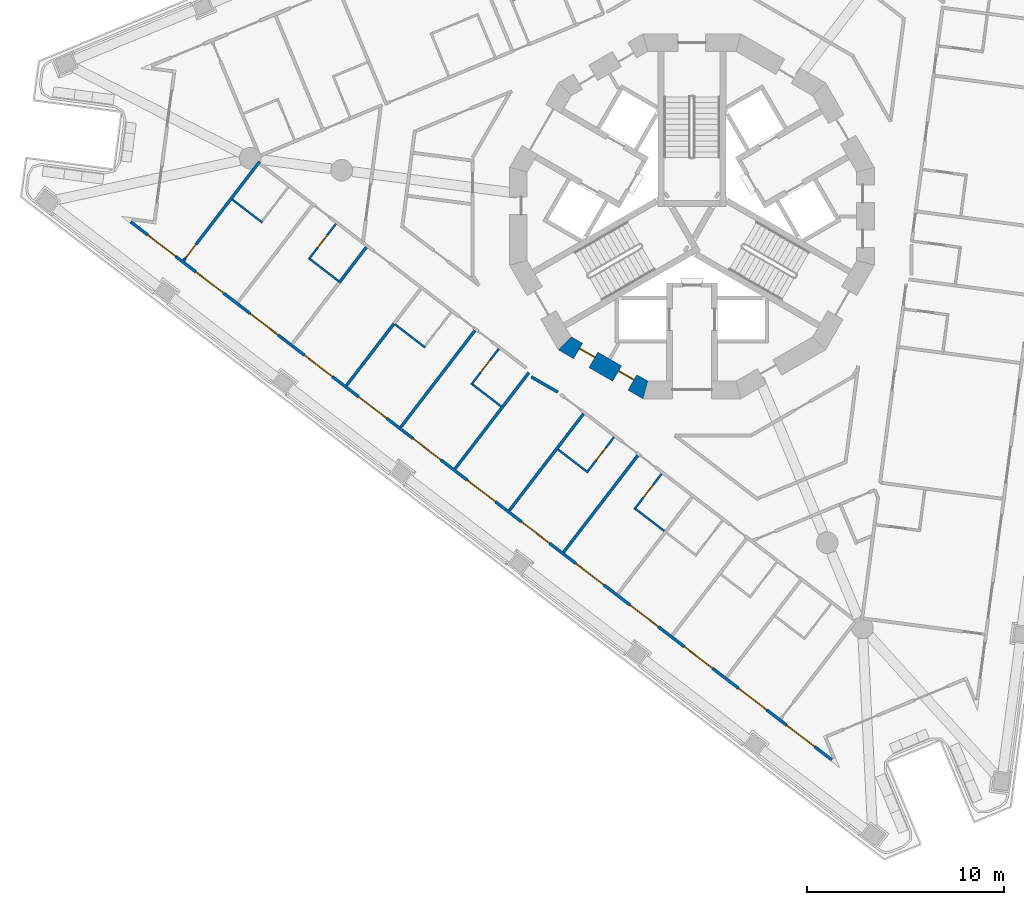
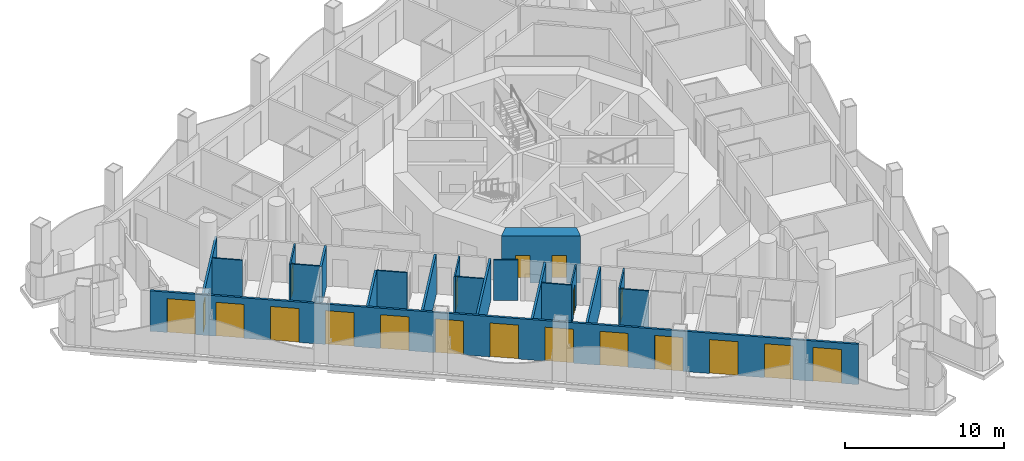
# One storey, part 2 of 17: 20 doors, 20 walls, 20 openings.
"""IFC4 building model written with IfcOpenShell, lengths in metres."""

from ifc_helpers import new_model, si_unit, direction, frame, frame_2d, origin, place, context, subcontext, project, spatial, polyline, rectangle, outline, extrude, material, layer, layer_set, type_object, element, fill, save


model = new_model("IFC4")

# Units and contexts
model_context = context("Model", 3, precision=1e-05, world=origin(), true_north=direction((0.0, 1.0)))
body_context = subcontext(model_context, "Body", "Model", "MODEL_VIEW")
ifc_project = project(units=[si_unit("LENGTHUNIT", "METRE"), si_unit("AREAUNIT", "SQUARE_METRE"), si_unit("VOLUMEUNIT", "CUBIC_METRE"), si_unit("PLANEANGLEUNIT", "RADIAN"), si_unit("MASSUNIT", "GRAM", prefix="KILO")], contexts=[model_context])

# Site, building, storey
site_placement = place(None, origin())
site = spatial("IfcSite", under=ifc_project, at=site_placement, CompositionType="ELEMENT")
building_placement = place(site_placement, origin())
building = spatial("IfcBuilding", under=site, at=building_placement, Name="Trine Commons Tower", CompositionType="ELEMENT")
storey_placement = place(building_placement, frame((0.0, 0.0, 153.0)))
storey = spatial("IfcBuildingStorey", under=building, at=storey_placement, Name="L39", CompositionType="ELEMENT", Elevation=153.0)

# Wall, openings, doors
ifc_material_1 = material(Name="Aluminium-framed insulated wall panel", Category="aluminium")
ifc_layer_1 = layer(ifc_material_1, 0.14990234375)
ifc_layer_set_1 = layer_set([ifc_layer_1], Name="Aluminium-framed insulated wall panel")
wall_type_1 = type_object("IfcWallType", Name="Glazed frame wall 150, EI 60", PredefinedType="SOLIDWALL", material=ifc_layer_set_1)
wall_1_placement = place(storey_placement, frame((87.22509765625, 34.786376953125, 0.0), z_axis=(0.0, 0.0, 1.0), x_axis=(-0.793353605974, 0.608761082764, 0.0)))
wall_1 = element("IfcWall", 1, at=wall_1_placement, inside=storey, type_object=wall_type_1, Name="Glazed frame wall F3", PredefinedType="SOLIDWALL", context=body_context, shape_type="SweptSolid", body=[
    extrude(outline(polyline([(0.1494140625, 0.074951171875), (0.1494140625, -0.074951171875), (45.056884765625, -0.074951171875), (45.056884765625, 0.074951171875), (0.1494140625, 0.074951171875)])), origin(), (0.0, 0.0, 1.0), 3.10009765625),
])
opening_1_placement = place(wall_1_placement, frame((1.23876953125, 0.0, 0.0)))
opening_1 = element("IfcOpeningElement", 2, at=opening_1_placement, cuts=wall_1, Name="Opening BD-4F3-01", PredefinedType="OPENING", context=body_context, shape_type="SweptSolid", body=[
    extrude(rectangle(XDim=1.800048828125, YDim=2.60009765625, at=frame_2d((0.89990234375, 1.300048828125))), frame((0.0, 0.0849609375, 0.0), z_axis=(0.0, -1.0, 0.0), x_axis=(1.0, 0.0, 0.0)), (0.0, 0.0, 1.0), 0.169921875),
])
opening_2_placement = place(wall_1_placement, frame((4.316162109375, 0.0, 0.0)))
opening_2 = element("IfcOpeningElement", 3, at=opening_2_placement, cuts=wall_1, Name="Opening BD-4F3-02", PredefinedType="OPENING", context=body_context, shape_type="SweptSolid", body=[
    extrude(rectangle(XDim=1.800048828125, YDim=2.60009765625, at=frame_2d((0.89990234375, 1.300048828125))), frame((0.0, 0.0849609375, 0.0), z_axis=(0.0, -1.0, 0.0), x_axis=(1.0, 0.0, 0.0)), (0.0, 0.0, 1.0), 0.169921875),
])
opening_3_placement = place(wall_1_placement, frame((7.79345703125, 0.0, 0.0)))
opening_3 = element("IfcOpeningElement", 4, at=opening_3_placement, cuts=wall_1, Name="Opening BD-4F3-03", PredefinedType="OPENING", context=body_context, shape_type="SweptSolid", body=[
    extrude(rectangle(XDim=1.800048828125, YDim=2.60009765625, at=frame_2d((0.89990234375, 1.300048828125))), frame((0.0, 0.0849609375, 0.0), z_axis=(0.0, -1.0, 0.0), x_axis=(1.0, 0.0, 0.0)), (0.0, 0.0, 1.0), 0.169921875),
])
opening_4_placement = place(wall_1_placement, frame((11.27099609375, 0.0, 0.0)))
opening_4 = element("IfcOpeningElement", 5, at=opening_4_placement, cuts=wall_1, Name="Opening BD-4F3-04", PredefinedType="OPENING", context=body_context, shape_type="SweptSolid", body=[
    extrude(rectangle(XDim=1.800048828125, YDim=2.60009765625, at=frame_2d((0.89990234375, 1.300048828125))), frame((0.0, 0.0849609375, 0.0), z_axis=(0.0, -1.0, 0.0), x_axis=(1.0, 0.0, 0.0)), (0.0, 0.0, 1.0), 0.169921875),
])
opening_5_placement = place(wall_1_placement, frame((14.748291015625, 0.0, 0.0)))
opening_5 = element("IfcOpeningElement", 6, at=opening_5_placement, cuts=wall_1, Name="Opening BD-4F3-05", PredefinedType="OPENING", context=body_context, shape_type="SweptSolid", body=[
    extrude(rectangle(XDim=1.800048828125, YDim=2.60009765625, at=frame_2d((0.89990234375, 1.300048828125))), frame((0.0, 0.0849609375, 0.0), z_axis=(0.0, -1.0, 0.0), x_axis=(1.0, 0.0, 0.0)), (0.0, 0.0, 1.0), 0.169921875),
])
opening_6_placement = place(wall_1_placement, frame((18.2255859375, 0.0, 0.0)))
opening_6 = element("IfcOpeningElement", 7, at=opening_6_placement, cuts=wall_1, Name="Opening BD-4F3-06", PredefinedType="OPENING", context=body_context, shape_type="SweptSolid", body=[
    extrude(rectangle(XDim=1.800048828125, YDim=2.60009765625, at=frame_2d((0.89990234375, 1.300048828125))), frame((0.0, 0.0849609375, 0.0), z_axis=(0.0, -1.0, 0.0), x_axis=(1.0, 0.0, 0.0)), (0.0, 0.0, 1.0), 0.169921875),
])
opening_7_placement = place(wall_1_placement, frame((21.703125, 0.0, 0.0)))
opening_7 = element("IfcOpeningElement", 8, at=opening_7_placement, cuts=wall_1, Name="Opening BD-4F3-07", PredefinedType="OPENING", context=body_context, shape_type="SweptSolid", body=[
    extrude(rectangle(XDim=1.800048828125, YDim=2.60009765625, at=frame_2d((0.89990234375, 1.300048828125))), frame((0.0, 0.0849609375, 0.0), z_axis=(0.0, -1.0, 0.0), x_axis=(1.0, 0.0, 0.0)), (0.0, 0.0, 1.0), 0.169921875),
])
opening_8_placement = place(wall_1_placement, frame((25.180419921875, 0.0, 0.0)))
opening_8 = element("IfcOpeningElement", 9, at=opening_8_placement, cuts=wall_1, Name="Opening BD-4F3-08", PredefinedType="OPENING", context=body_context, shape_type="SweptSolid", body=[
    extrude(rectangle(XDim=1.800048828125, YDim=2.60009765625, at=frame_2d((0.89990234375, 1.300048828125))), frame((0.0, 0.0849609375, 0.0), z_axis=(0.0, -1.0, 0.0), x_axis=(1.0, 0.0, 0.0)), (0.0, 0.0, 1.0), 0.169921875),
])
opening_9_placement = place(wall_1_placement, frame((28.657958984375, 0.0, 0.0)))
opening_9 = element("IfcOpeningElement", 10, at=opening_9_placement, cuts=wall_1, Name="Opening BD-4F3-09", PredefinedType="OPENING", context=body_context, shape_type="SweptSolid", body=[
    extrude(rectangle(XDim=1.800048828125, YDim=2.60009765625, at=frame_2d((0.89990234375, 1.300048828125))), frame((0.0, 0.0849609375, 0.0), z_axis=(0.0, -1.0, 0.0), x_axis=(1.0, 0.0, 0.0)), (0.0, 0.0, 1.0), 0.169921875),
])
opening_10_placement = place(wall_1_placement, frame((32.13525390625, 0.0, 0.0)))
opening_10 = element("IfcOpeningElement", 11, at=opening_10_placement, cuts=wall_1, Name="Opening BD-4F3-10", PredefinedType="OPENING", context=body_context, shape_type="SweptSolid", body=[
    extrude(rectangle(XDim=1.800048828125, YDim=2.60009765625, at=frame_2d((0.89990234375, 1.300048828125))), frame((0.0, 0.0849609375, 0.0), z_axis=(0.0, -1.0, 0.0), x_axis=(1.0, 0.0, 0.0)), (0.0, 0.0, 1.0), 0.169921875),
])
opening_11_placement = place(wall_1_placement, frame((35.61279296875, 0.0, 0.0)))
opening_11 = element("IfcOpeningElement", 12, at=opening_11_placement, cuts=wall_1, Name="Opening BD-4F3-11", PredefinedType="OPENING", context=body_context, shape_type="SweptSolid", body=[
    extrude(rectangle(XDim=1.800048828125, YDim=2.60009765625, at=frame_2d((0.89990234375, 1.300048828125))), frame((0.0, 0.0849609375, 0.0), z_axis=(0.0, -1.0, 0.0), x_axis=(1.0, 0.0, 0.0)), (0.0, 0.0, 1.0), 0.169921875),
])
opening_12_placement = place(wall_1_placement, frame((39.090087890625, 0.0, 0.0)))
opening_12 = element("IfcOpeningElement", 13, at=opening_12_placement, cuts=wall_1, Name="Opening BD-4F3-12", PredefinedType="OPENING", context=body_context, shape_type="SweptSolid", body=[
    extrude(rectangle(XDim=1.800048828125, YDim=2.60009765625, at=frame_2d((0.89990234375, 1.300048828125))), frame((0.0, 0.0849609375, 0.0), z_axis=(0.0, -1.0, 0.0), x_axis=(1.0, 0.0, 0.0)), (0.0, 0.0, 1.0), 0.169921875),
])
opening_13_placement = place(wall_1_placement, frame((42.16748046875, 0.0, 0.0)))
opening_13 = element("IfcOpeningElement", 14, at=opening_13_placement, cuts=wall_1, Name="Opening BD-4F3-13", PredefinedType="OPENING", context=body_context, shape_type="SweptSolid", body=[
    extrude(rectangle(XDim=1.800048828125, YDim=2.60009765625, at=frame_2d((0.89990234375, 1.300048828125))), frame((0.0, 0.0849609375, 0.0), z_axis=(0.0, -1.0, 0.0), x_axis=(1.0, 0.0, 0.0)), (0.0, 0.0, 1.0), 0.169921875),
])
ifc_material_2 = material(Name="Anodised aluminium frame with double glazing", Category="aluminium")
door_type_1 = type_object("IfcDoorType", Name="Sliding loggia door 1800x2600", OperationType="SLIDING_TO_LEFT", PredefinedType="DOOR", material=ifc_material_2)
door_1_placement = place(opening_1_placement, origin())
door_1 = element("IfcDoor", 15, at=door_1_placement, inside=storey, type_object=door_type_1, Name="Loggia door F3 1", OperationType="SLIDING_TO_LEFT", OverallHeight=2.60009765625, OverallWidth=1.800048828125, PredefinedType="DOOR", context=body_context, shape_type="SweptSolid", body=[
    extrude(rectangle(XDim=1.800048828125, YDim=2.60009765625, at=frame_2d((0.89990234375, 1.300048828125))), frame((0.0, 0.02490234375, 0.0), z_axis=(0.0, -1.0, 0.0), x_axis=(1.0, 0.0, 0.0)), (0.0, 0.0, 1.0), 0.050048828125),
])
fill(opening_1, door_1)
door_2_placement = place(opening_2_placement, origin())
door_2 = element("IfcDoor", 16, at=door_2_placement, inside=storey, type_object=door_type_1, Name="Loggia door F3 2", OperationType="SLIDING_TO_LEFT", OverallHeight=2.60009765625, OverallWidth=1.800048828125, PredefinedType="DOOR", context=body_context, shape_type="SweptSolid", body=[
    extrude(rectangle(XDim=1.800048828125, YDim=2.60009765625, at=frame_2d((0.89990234375, 1.300048828125))), frame((0.0, 0.02490234375, 0.0), z_axis=(0.0, -1.0, 0.0), x_axis=(1.0, 0.0, 0.0)), (0.0, 0.0, 1.0), 0.050048828125),
])
fill(opening_2, door_2)
door_3_placement = place(opening_3_placement, origin())
door_3 = element("IfcDoor", 17, at=door_3_placement, inside=storey, type_object=door_type_1, Name="Loggia door F3 3", OperationType="SLIDING_TO_LEFT", OverallHeight=2.60009765625, OverallWidth=1.800048828125, PredefinedType="DOOR", context=body_context, shape_type="SweptSolid", body=[
    extrude(rectangle(XDim=1.800048828125, YDim=2.60009765625, at=frame_2d((0.89990234375, 1.300048828125))), frame((0.0, 0.02490234375, 0.0), z_axis=(0.0, -1.0, 0.0), x_axis=(1.0, 0.0, 0.0)), (0.0, 0.0, 1.0), 0.050048828125),
])
fill(opening_3, door_3)
door_4_placement = place(opening_4_placement, origin())
door_4 = element("IfcDoor", 18, at=door_4_placement, inside=storey, type_object=door_type_1, Name="Loggia door F3 4", OperationType="SLIDING_TO_LEFT", OverallHeight=2.60009765625, OverallWidth=1.800048828125, PredefinedType="DOOR", context=body_context, shape_type="SweptSolid", body=[
    extrude(rectangle(XDim=1.800048828125, YDim=2.60009765625, at=frame_2d((0.89990234375, 1.300048828125))), frame((0.0, 0.02490234375, 0.0), z_axis=(0.0, -1.0, 0.0), x_axis=(1.0, 0.0, 0.0)), (0.0, 0.0, 1.0), 0.050048828125),
])
fill(opening_4, door_4)
door_5_placement = place(opening_5_placement, origin())
door_5 = element("IfcDoor", 19, at=door_5_placement, inside=storey, type_object=door_type_1, Name="Loggia door F3 5", OperationType="SLIDING_TO_LEFT", OverallHeight=2.60009765625, OverallWidth=1.800048828125, PredefinedType="DOOR", context=body_context, shape_type="SweptSolid", body=[
    extrude(rectangle(XDim=1.800048828125, YDim=2.60009765625, at=frame_2d((0.89990234375, 1.300048828125))), frame((0.0, 0.02490234375, 0.0), z_axis=(0.0, -1.0, 0.0), x_axis=(1.0, 0.0, 0.0)), (0.0, 0.0, 1.0), 0.050048828125),
])
fill(opening_5, door_5)
door_6_placement = place(opening_6_placement, origin())
door_6 = element("IfcDoor", 20, at=door_6_placement, inside=storey, type_object=door_type_1, Name="Loggia door F3 6", OperationType="SLIDING_TO_LEFT", OverallHeight=2.60009765625, OverallWidth=1.800048828125, PredefinedType="DOOR", context=body_context, shape_type="SweptSolid", body=[
    extrude(rectangle(XDim=1.800048828125, YDim=2.60009765625, at=frame_2d((0.89990234375, 1.300048828125))), frame((0.0, 0.02490234375, 0.0), z_axis=(0.0, -1.0, 0.0), x_axis=(1.0, 0.0, 0.0)), (0.0, 0.0, 1.0), 0.050048828125),
])
fill(opening_6, door_6)
door_7_placement = place(opening_7_placement, origin())
door_7 = element("IfcDoor", 21, at=door_7_placement, inside=storey, type_object=door_type_1, Name="Loggia door F3 7", OperationType="SLIDING_TO_LEFT", OverallHeight=2.60009765625, OverallWidth=1.800048828125, PredefinedType="DOOR", context=body_context, shape_type="SweptSolid", body=[
    extrude(rectangle(XDim=1.800048828125, YDim=2.60009765625, at=frame_2d((0.89990234375, 1.300048828125))), frame((0.0, 0.02490234375, 0.0), z_axis=(0.0, -1.0, 0.0), x_axis=(1.0, 0.0, 0.0)), (0.0, 0.0, 1.0), 0.050048828125),
])
fill(opening_7, door_7)
door_8_placement = place(opening_8_placement, origin())
door_8 = element("IfcDoor", 22, at=door_8_placement, inside=storey, type_object=door_type_1, Name="Loggia door F3 8", OperationType="SLIDING_TO_LEFT", OverallHeight=2.60009765625, OverallWidth=1.800048828125, PredefinedType="DOOR", context=body_context, shape_type="SweptSolid", body=[
    extrude(rectangle(XDim=1.800048828125, YDim=2.60009765625, at=frame_2d((0.89990234375, 1.300048828125))), frame((0.0, 0.02490234375, 0.0), z_axis=(0.0, -1.0, 0.0), x_axis=(1.0, 0.0, 0.0)), (0.0, 0.0, 1.0), 0.050048828125),
])
fill(opening_8, door_8)
door_9_placement = place(opening_9_placement, origin())
door_9 = element("IfcDoor", 23, at=door_9_placement, inside=storey, type_object=door_type_1, Name="Loggia door F3 9", OperationType="SLIDING_TO_LEFT", OverallHeight=2.60009765625, OverallWidth=1.800048828125, PredefinedType="DOOR", context=body_context, shape_type="SweptSolid", body=[
    extrude(rectangle(XDim=1.800048828125, YDim=2.60009765625, at=frame_2d((0.89990234375, 1.300048828125))), frame((0.0, 0.02490234375, 0.0), z_axis=(0.0, -1.0, 0.0), x_axis=(1.0, 0.0, 0.0)), (0.0, 0.0, 1.0), 0.050048828125),
])
fill(opening_9, door_9)
door_10_placement = place(opening_10_placement, origin())
door_10 = element("IfcDoor", 24, at=door_10_placement, inside=storey, type_object=door_type_1, Name="Loggia door F3 10", OperationType="SLIDING_TO_LEFT", OverallHeight=2.60009765625, OverallWidth=1.800048828125, PredefinedType="DOOR", context=body_context, shape_type="SweptSolid", body=[
    extrude(rectangle(XDim=1.800048828125, YDim=2.60009765625, at=frame_2d((0.89990234375, 1.300048828125))), frame((0.0, 0.02490234375, 0.0), z_axis=(0.0, -1.0, 0.0), x_axis=(1.0, 0.0, 0.0)), (0.0, 0.0, 1.0), 0.050048828125),
])
fill(opening_10, door_10)
door_11_placement = place(opening_11_placement, origin())
door_11 = element("IfcDoor", 25, at=door_11_placement, inside=storey, type_object=door_type_1, Name="Loggia door F3 11", OperationType="SLIDING_TO_LEFT", OverallHeight=2.60009765625, OverallWidth=1.800048828125, PredefinedType="DOOR", context=body_context, shape_type="SweptSolid", body=[
    extrude(rectangle(XDim=1.800048828125, YDim=2.60009765625, at=frame_2d((0.89990234375, 1.300048828125))), frame((0.0, 0.02490234375, 0.0), z_axis=(0.0, -1.0, 0.0), x_axis=(1.0, 0.0, 0.0)), (0.0, 0.0, 1.0), 0.050048828125),
])
fill(opening_11, door_11)
door_12_placement = place(opening_12_placement, origin())
door_12 = element("IfcDoor", 26, at=door_12_placement, inside=storey, type_object=door_type_1, Name="Loggia door F3 12", OperationType="SLIDING_TO_LEFT", OverallHeight=2.60009765625, OverallWidth=1.800048828125, PredefinedType="DOOR", context=body_context, shape_type="SweptSolid", body=[
    extrude(rectangle(XDim=1.800048828125, YDim=2.60009765625, at=frame_2d((0.89990234375, 1.300048828125))), frame((0.0, 0.02490234375, 0.0), z_axis=(0.0, -1.0, 0.0), x_axis=(1.0, 0.0, 0.0)), (0.0, 0.0, 1.0), 0.050048828125),
])
fill(opening_12, door_12)
door_13_placement = place(opening_13_placement, origin())
door_13 = element("IfcDoor", 27, at=door_13_placement, inside=storey, type_object=door_type_1, Name="Loggia door F3 13", OperationType="SLIDING_TO_LEFT", OverallHeight=2.60009765625, OverallWidth=1.800048828125, PredefinedType="DOOR", context=body_context, shape_type="SweptSolid", body=[
    extrude(rectangle(XDim=1.800048828125, YDim=2.60009765625, at=frame_2d((0.89990234375, 1.300048828125))), frame((0.0, 0.02490234375, 0.0), z_axis=(0.0, -1.0, 0.0), x_axis=(1.0, 0.0, 0.0)), (0.0, 0.0, 1.0), 0.050048828125),
])
fill(opening_13, door_13)

ifc_material_3 = material(Name="Concrete C70/85", Category="concrete")
ifc_layer_2 = layer(ifc_material_3, 0.89990234375)
ifc_layer_set_2 = layer_set([ifc_layer_2], Name="Concrete C70/85")
wall_type_2 = type_object("IfcWallType", Name="RC shear wall 900 mm, C70/85", PredefinedType="SHEAR", material=ifc_layer_set_2)
wall_2_placement = place(storey_placement, frame((73.436767578125, 56.1015625, 0.0), z_axis=(0.0, 0.0, 1.0), x_axis=(0.866003133579, -0.500038571144, 0.0)))
wall_2 = element("IfcWall", 28, at=wall_2_placement, inside=storey, type_object=wall_type_2, Name="Core wall CWD-09 L39", PredefinedType="SHEAR", context=body_context, shape_type="SweptSolid", body=[
    extrude(outline(polyline([(0.0, -0.449951171875), (4.96923828125, -0.449951171875), (4.72802734375, 0.449951171875), (0.2412109375, 0.449951171875), (0.0, -0.449951171875)])), origin(), (0.0, 0.0, 1.0), 3.60009765625),
])
opening_14_placement = place(wall_2_placement, frame((0.89599609375, 0.0, 0.0)))
opening_14 = element("IfcOpeningElement", 29, at=opening_14_placement, cuts=wall_2, Name="Opening K10.16", PredefinedType="OPENING", context=body_context, shape_type="SweptSolid", body=[
    extrude(rectangle(XDim=0.89990234375, YDim=2.10009765625, at=frame_2d((0.449951171875, 1.050048828125))), frame((0.0, 0.4599609375, 0.0), z_axis=(0.0, -1.0, 0.0), x_axis=(1.0, 0.0, 0.0)), (0.0, 0.0, 1.0), 0.919921875),
])
opening_15_placement = place(wall_2_placement, frame((3.18505859375, 0.0, 0.0)))
opening_15 = element("IfcOpeningElement", 30, at=opening_15_placement, cuts=wall_2, Name="Opening K10.17", PredefinedType="OPENING", context=body_context, shape_type="SweptSolid", body=[
    extrude(rectangle(XDim=0.89990234375, YDim=2.10009765625, at=frame_2d((0.449951171875, 1.050048828125))), frame((0.0, 0.4599609375, 0.0), z_axis=(0.0, -1.0, 0.0), x_axis=(1.0, 0.0, 0.0)), (0.0, 0.0, 1.0), 0.919921875),
])
ifc_material_4 = material(Name="Steel door leaf, fire-rated", Category="steel")
door_type_2 = type_object("IfcDoorType", Name="Core room door, single leaf 900 x 2100, FD30S", OperationType="SINGLE_SWING_LEFT", PredefinedType="DOOR", material=ifc_material_4)
door_14_placement = place(opening_14_placement, origin())
door_14 = element("IfcDoor", 31, at=door_14_placement, inside=storey, type_object=door_type_2, Name="Door to Linen store L39", OperationType="SINGLE_SWING_LEFT", OverallHeight=2.10009765625, OverallWidth=0.89990234375, PredefinedType="DOOR", context=body_context, shape_type="SweptSolid", body=[
    extrude(rectangle(XDim=0.89990234375, YDim=2.10009765625, at=frame_2d((0.449951171875, 1.050048828125))), frame((0.0, 0.1748046875, 0.0), z_axis=(0.0, -1.0, 0.0), x_axis=(1.0, 0.0, 0.0)), (0.0, 0.0, 1.0), 0.050048828125),
])
fill(opening_14, door_14)
door_15_placement = place(opening_15_placement, origin())
door_15 = element("IfcDoor", 32, at=door_15_placement, inside=storey, type_object=door_type_2, Name="Door to Pantry L39", OperationType="SINGLE_SWING_RIGHT", OverallHeight=2.10009765625, OverallWidth=0.89990234375, PredefinedType="DOOR", context=body_context, shape_type="SweptSolid", body=[
    extrude(rectangle(XDim=0.89990234375, YDim=2.10009765625, at=frame_2d((0.449951171875, 1.050048828125))), frame((0.0, 0.1748046875, 0.0), z_axis=(0.0, -1.0, 0.0), x_axis=(1.0, 0.0, 0.0)), (0.0, 0.0, 1.0), 0.050048828125),
])
fill(opening_15, door_15)

# Wall, opening, door
ifc_material_5 = material(Name="Gypsum plasterboard on steel stud", Category="steel")
ifc_layer_3 = layer(ifc_material_5, 0.14990234375)
ifc_layer_set_3 = layer_set([ifc_layer_3], Name="Gypsum plasterboard on steel stud")
wall_type_3 = type_object("IfcWallType", Name="Unit and corridor wall 150 mm, EI 60", PredefinedType="PARTITIONING", material=ifc_layer_set_3)
wall_3_placement = place(storey_placement, frame((54.165283203125, 60.248779296875, 0.0), z_axis=(0.0, 0.0, 1.0), x_axis=(0.608817658648, 0.793310190605, 0.0)))
wall_3 = element("IfcWall", 33, at=wall_3_placement, inside=storey, type_object=wall_type_3, Name="Partition 001", PredefinedType="PARTITIONING", context=body_context, shape_type="SweptSolid", body=[
    extrude(rectangle(XDim=6.343994140625, YDim=0.14990234375, at=frame_2d((3.171875, 0.0))), origin(), (0.0, 0.0, 1.0), 3.10009765625),
])
opening_16_placement = place(wall_3_placement, frame((0.14990234375, 0.0, 0.0)))
opening_16 = element("IfcOpeningElement", 34, at=opening_16_placement, cuts=wall_3, Name="Opening D-4C32", PredefinedType="OPENING", context=body_context, shape_type="SweptSolid", body=[
    extrude(rectangle(XDim=0.89990234375, YDim=2.10009765625, at=frame_2d((0.449951171875, 1.050048828125))), frame((0.0, 0.0849609375, 0.0), z_axis=(0.0, -1.0, 0.0), x_axis=(1.0, 0.0, 0.0)), (0.0, 0.0, 1.0), 0.169921875),
])
ifc_material_6 = material(Name="Timber fire door set", Category="wood")
door_type_3 = type_object("IfcDoorType", Name="Bedroom door 900 x 2100, FD30S", OperationType="NOTDEFINED", PredefinedType="DOOR", material=ifc_material_6)
door_16_placement = place(opening_16_placement, frame((0.89990234375, 0.0, 0.0), z_axis=(0.0, 0.0, 1.0), x_axis=(-1.0, 0.0, 0.0)))
door_16 = element("IfcDoor", 35, at=door_16_placement, inside=storey, type_object=door_type_3, Name="Door D-4C32", OperationType="SINGLE_SWING_RIGHT", OverallHeight=2.10009765625, OverallWidth=0.89990234375, PredefinedType="DOOR", context=body_context, shape_type="SweptSolid", body=[
    extrude(rectangle(XDim=0.89990234375, YDim=2.10009765625, at=frame_2d((0.449951171875, 1.050048828125))), frame((0.0, 0.02490234375, 0.0), z_axis=(0.0, -1.0, 0.0), x_axis=(1.0, 0.0, 0.0)), (0.0, 0.0, 1.0), 0.050048828125),
])
fill(opening_16, door_16)

# Walls
wall_4_placement = place(storey_placement, frame((62.066650390625, 59.121337890625, 0.0), z_axis=(0.0, 0.0, 1.0), x_axis=(0.608570992326, 0.793499431191, 0.0)))
element("IfcWall", 36, at=wall_4_placement, inside=storey, type_object=wall_type_3, Name="Partition 017", PredefinedType="PARTITIONING", context=body_context, shape_type="SweptSolid", body=[
    extrude(rectangle(XDim=2.278564453125, YDim=0.14990234375, at=frame_2d((1.13916015625, 0.0))), origin(), (0.0, 0.0, 1.0), 3.10009765625),
])
wall_5_placement = place(storey_placement, frame((62.44140625, 53.897705078125, 0.0), z_axis=(0.0, 0.0, 1.0), x_axis=(0.608741371631, 0.793368730455, 0.0)))
element("IfcWall", 37, at=wall_5_placement, inside=storey, type_object=wall_type_3, Name="Partition 018", PredefinedType="PARTITIONING", context=body_context, shape_type="SweptSolid", body=[
    extrude(rectangle(XDim=3.9697265625, YDim=0.14990234375, at=frame_2d((1.98486328125, 0.0))), origin(), (0.0, 0.0, 1.0), 3.10009765625),
])
wall_6_placement = place(storey_placement, frame((65.2001953125, 51.78076171875, 0.0), z_axis=(0.0, 0.0, 1.0), x_axis=(0.608735145032, 0.793373508004, 0.0)))
element("IfcWall", 38, at=wall_6_placement, inside=storey, type_object=wall_type_3, Name="Partition 027", PredefinedType="PARTITIONING", context=body_context, shape_type="SweptSolid", body=[
    extrude(rectangle(XDim=6.19482421875, YDim=0.14990234375, at=frame_2d((3.097412109375, 0.0))), origin(), (0.0, 0.0, 1.0), 3.10009765625),
])
wall_7_placement = place(storey_placement, frame((67.959228515625, 49.664794921875, 0.0), z_axis=(0.0, 0.0, 1.0), x_axis=(0.608744029894, 0.793366690798, 0.0)))
element("IfcWall", 39, at=wall_7_placement, inside=storey, type_object=wall_type_3, Name="Partition 038", PredefinedType="PARTITIONING", context=body_context, shape_type="SweptSolid", body=[
    extrude(rectangle(XDim=6.166259765625, YDim=0.14990234375, at=frame_2d((3.0830078125, 0.0))), origin(), (0.0, 0.0, 1.0), 3.10009765625),
])
wall_8_placement = place(storey_placement, frame((70.71826171875, 47.547607421875, 0.0), z_axis=(0.0, 0.0, 1.0), x_axis=(0.608712047114, 0.79339122991, 0.0)))
element("IfcWall", 40, at=wall_8_placement, inside=storey, type_object=wall_type_3, Name="Partition 047", PredefinedType="PARTITIONING", context=body_context, shape_type="SweptSolid", body=[
    extrude(rectangle(XDim=6.193359375, YDim=0.14990234375, at=frame_2d((3.0966796875, 0.0))), origin(), (0.0, 0.0, 1.0), 3.10009765625),
])
wall_9_placement = place(storey_placement, frame((71.839111328125, 54.339111328125, 0.0), z_axis=(0.0, 0.0, 1.0), x_axis=(0.866054481515, -0.499949632511, 0.0)))
element("IfcWall", 41, at=wall_9_placement, inside=storey, type_object=wall_type_3, Name="Partition 052", PredefinedType="PARTITIONING", context=body_context, shape_type="SweptSolid", body=[
    extrude(rectangle(XDim=1.550537109375, YDim=0.14990234375, at=frame_2d((0.775390625, 0.0))), origin(), (0.0, 0.0, 1.0), 3.10009765625),
])
wall_10_placement = place(storey_placement, frame((73.476318359375, 45.4306640625, 0.0), z_axis=(0.0, 0.0, 1.0), x_axis=(0.608811285709, 0.79331508141, 0.0)))
element("IfcWall", 42, at=wall_10_placement, inside=storey, type_object=wall_type_3, Name="Partition 056", PredefinedType="PARTITIONING", context=body_context, shape_type="SweptSolid", body=[
    extrude(rectangle(XDim=6.194091796875, YDim=0.14990234375, at=frame_2d((3.09716796875, 0.0))), origin(), (0.0, 0.0, 1.0), 3.10009765625),
])
ifc_layer_4 = layer(ifc_material_5, 0.10009765625)
ifc_layer_set_4 = layer_set([ifc_layer_4], Name="Gypsum plasterboard on steel stud")
wall_type_4 = type_object("IfcWallType", Name="Unit partition 100 mm, no rating", PredefinedType="PARTITIONING", material=ifc_layer_set_4)
wall_11_placement = place(storey_placement, frame((56.640380859375, 63.352294921875, 0.0), z_axis=(0.0, 0.0, 1.0), x_axis=(0.793438942522, -0.608649853766, 0.0)))
element("IfcWall", 43, at=wall_11_placement, inside=storey, type_object=wall_type_4, Name="Partition 003", PredefinedType="PARTITIONING", context=body_context, shape_type="SweptSolid", body=[
    extrude(rectangle(XDim=1.925048828125, YDim=0.10009765625, at=frame_2d((0.96240234375, 0.0))), origin(), (0.0, 0.0, 1.0), 3.10009765625),
])

# Wall, opening, door
wall_12_placement = place(storey_placement, frame((60.521484375, 60.311279296875, 0.0), z_axis=(0.0, 0.0, 1.0), x_axis=(0.608719842686, 0.793385248867, 0.0)))
wall_12 = element("IfcWall", 44, at=wall_12_placement, inside=storey, type_object=wall_type_4, Name="Partition 012", PredefinedType="PARTITIONING", context=body_context, shape_type="SweptSolid", body=[
    extrude(rectangle(XDim=2.275390625, YDim=0.10009765625, at=frame_2d((1.1376953125, 0.0))), origin(), (0.0, 0.0, 1.0), 3.10009765625),
])
opening_17_placement = place(wall_12_placement, frame((0.762451171875, 0.0, 0.0)))
opening_17 = element("IfcOpeningElement", 45, at=opening_17_placement, cuts=wall_12, Name="Opening D-4C60", PredefinedType="OPENING", context=body_context, shape_type="SweptSolid", body=[
    extrude(rectangle(XDim=0.800048828125, YDim=2.10009765625, at=frame_2d((0.39990234375, 1.050048828125))), frame((0.0, 0.06005859375, 0.0), z_axis=(0.0, -1.0, 0.0), x_axis=(1.0, 0.0, 0.0)), (0.0, 0.0, 1.0), 0.1201171875),
])
ifc_material_7 = material(Name="Painted timber", Category="wood")
door_type_4 = type_object("IfcDoorType", Name="Internal door 800 x 2100, NOT RATED", OperationType="NOTDEFINED", PredefinedType="DOOR", material=ifc_material_7)
door_17_placement = place(opening_17_placement, origin())
door_17 = element("IfcDoor", 46, at=door_17_placement, inside=storey, type_object=door_type_4, Name="Door D-4C60", OperationType="SINGLE_SWING_RIGHT", OverallHeight=2.10009765625, OverallWidth=0.800048828125, PredefinedType="DOOR", context=body_context, shape_type="SweptSolid", body=[
    extrude(rectangle(XDim=0.800048828125, YDim=2.10009765625, at=frame_2d((0.39990234375, 1.050048828125))), frame((0.0, 0.02490234375, 0.0), z_axis=(0.0, -1.0, 0.0), x_axis=(1.0, 0.0, 0.0)), (0.0, 0.0, 1.0), 0.050048828125),
])
fill(opening_17, door_17)

# Walls
wall_13_placement = place(storey_placement, frame((60.591796875, 60.320556640625, 0.0), z_axis=(0.0, 0.0, 1.0), x_axis=(0.793369431695, -0.608740457709, 0.0)))
element("IfcWall", 47, at=wall_13_placement, inside=storey, type_object=wall_type_4, Name="Partition 013", PredefinedType="PARTITIONING", context=body_context, shape_type="SweptSolid", body=[
    extrude(rectangle(XDim=1.82470703125, YDim=0.10009765625, at=frame_2d((0.912353515625, 0.0))), origin(), (0.0, 0.0, 1.0), 3.10009765625),
])
wall_14_placement = place(storey_placement, frame((64.91748046875, 57.001220703125, 0.0), z_axis=(0.0, 0.0, 1.0), x_axis=(0.793391951231, -0.608711106948, 0.0)))
element("IfcWall", 48, at=wall_14_placement, inside=storey, type_object=wall_type_4, Name="Partition 026", PredefinedType="PARTITIONING", context=body_context, shape_type="SweptSolid", body=[
    extrude(rectangle(XDim=1.9248046875, YDim=0.10009765625, at=frame_2d((0.96240234375, 0.0))), origin(), (0.0, 0.0, 1.0), 3.10009765625),
])

# Wall, opening, door
wall_15_placement = place(storey_placement, frame((68.78369140625, 53.9423828125, 0.0), z_axis=(0.0, 0.0, 1.0), x_axis=(0.608986677523, 0.793180450212, 0.0)))
wall_15 = element("IfcWall", 49, at=wall_15_placement, inside=storey, type_object=wall_type_4, Name="Partition 040", PredefinedType="PARTITIONING", context=body_context, shape_type="SweptSolid", body=[
    extrude(rectangle(XDim=2.29833984375, YDim=0.10009765625, at=frame_2d((1.149169921875, 0.0))), origin(), (0.0, 0.0, 1.0), 3.10009765625),
])
opening_18_placement = place(wall_15_placement, frame((0.7744140625, 0.0, 0.0)))
opening_18 = element("IfcOpeningElement", 50, at=opening_18_placement, cuts=wall_15, Name="Opening D-4C58", PredefinedType="OPENING", context=body_context, shape_type="SweptSolid", body=[
    extrude(rectangle(XDim=0.800048828125, YDim=2.10009765625, at=frame_2d((0.39990234375, 1.050048828125))), frame((0.0, 0.06005859375, 0.0), z_axis=(0.0, -1.0, 0.0), x_axis=(1.0, 0.0, 0.0)), (0.0, 0.0, 1.0), 0.1201171875),
])
door_18_placement = place(opening_18_placement, origin())
door_18 = element("IfcDoor", 51, at=door_18_placement, inside=storey, type_object=door_type_4, Name="Door D-4C58", OperationType="SINGLE_SWING_RIGHT", OverallHeight=2.10009765625, OverallWidth=0.800048828125, PredefinedType="DOOR", context=body_context, shape_type="SweptSolid", body=[
    extrude(rectangle(XDim=0.800048828125, YDim=2.10009765625, at=frame_2d((0.39990234375, 1.050048828125))), frame((0.0, 0.02490234375, 0.0), z_axis=(0.0, -1.0, 0.0), x_axis=(1.0, 0.0, 0.0)), (0.0, 0.0, 1.0), 0.050048828125),
])
fill(opening_18, door_18)

# Walls
wall_16_placement = place(storey_placement, frame((68.853759765625, 53.95166015625, 0.0), z_axis=(0.0, 0.0, 1.0), x_axis=(0.793369431695, -0.608740457709, 0.0)))
element("IfcWall", 52, at=wall_16_placement, inside=storey, type_object=wall_type_4, Name="Partition 041", PredefinedType="PARTITIONING", context=body_context, shape_type="SweptSolid", body=[
    extrude(rectangle(XDim=1.82470703125, YDim=0.10009765625, at=frame_2d((0.912353515625, 0.0))), origin(), (0.0, 0.0, 1.0), 3.10009765625),
])
wall_17_placement = place(storey_placement, frame((73.193603515625, 50.650390625, 0.0), z_axis=(0.0, 0.0, 1.0), x_axis=(0.793330694412, -0.608790940556, 0.0)))
element("IfcWall", 53, at=wall_17_placement, inside=storey, type_object=wall_type_4, Name="Partition 053", PredefinedType="PARTITIONING", context=body_context, shape_type="SweptSolid", body=[
    extrude(rectangle(XDim=1.9248046875, YDim=0.10009765625, at=frame_2d((0.96240234375, 0.0))), origin(), (0.0, 0.0, 1.0), 3.10009765625),
])

# Wall, opening, door
wall_18_placement = place(storey_placement, frame((74.71142578125, 49.548583984375, 0.0), z_axis=(0.0, 0.0, 1.0), x_axis=(0.608674216197, 0.79342025342, 0.0)))
wall_18 = element("IfcWall", 54, at=wall_18_placement, inside=storey, type_object=wall_type_4, Name="Partition 060", PredefinedType="PARTITIONING", context=body_context, shape_type="SweptSolid", body=[
    extrude(rectangle(XDim=2.17529296875, YDim=0.10009765625, at=frame_2d((1.087646484375, 0.0))), origin(), (0.0, 0.0, 1.0), 3.10009765625),
])
opening_19_placement = place(wall_18_placement, frame((0.6875, 0.0, 0.0)))
opening_19 = element("IfcOpeningElement", 55, at=opening_19_placement, cuts=wall_18, Name="Opening D-4C57", PredefinedType="OPENING", context=body_context, shape_type="SweptSolid", body=[
    extrude(rectangle(XDim=0.800048828125, YDim=2.10009765625, at=frame_2d((0.39990234375, 1.050048828125))), frame((0.0, 0.06005859375, 0.0), z_axis=(0.0, -1.0, 0.0), x_axis=(1.0, 0.0, 0.0)), (0.0, 0.0, 1.0), 0.1201171875),
])
door_19_placement = place(opening_19_placement, frame((0.800048828125, 0.0, 0.0), z_axis=(0.0, 0.0, 1.0), x_axis=(-1.0, 0.0, 0.0)))
door_19 = element("IfcDoor", 56, at=door_19_placement, inside=storey, type_object=door_type_4, Name="Door D-4C57", OperationType="SINGLE_SWING_LEFT", OverallHeight=2.10009765625, OverallWidth=0.800048828125, PredefinedType="DOOR", context=body_context, shape_type="SweptSolid", body=[
    extrude(rectangle(XDim=0.800048828125, YDim=2.10009765625, at=frame_2d((0.39990234375, 1.050048828125))), frame((0.0, 0.02490234375, 0.0), z_axis=(0.0, -1.0, 0.0), x_axis=(1.0, 0.0, 0.0)), (0.0, 0.0, 1.0), 0.050048828125),
])
fill(opening_19, door_19)

wall_19_placement = place(storey_placement, frame((77.07470703125, 47.6103515625, 0.0), z_axis=(0.0, 0.0, 1.0), x_axis=(0.60879207473, 0.793329824062, 0.0)))
wall_19 = element("IfcWall", 57, at=wall_19_placement, inside=storey, type_object=wall_type_4, Name="Partition 064", PredefinedType="PARTITIONING", context=body_context, shape_type="SweptSolid", body=[
    extrude(rectangle(XDim=2.274169921875, YDim=0.10009765625, at=frame_2d((1.13720703125, 0.0))), origin(), (0.0, 0.0, 1.0), 3.10009765625),
])
opening_20_placement = place(wall_19_placement, frame((0.76220703125, 0.0, 0.0)))
opening_20 = element("IfcOpeningElement", 58, at=opening_20_placement, cuts=wall_19, Name="Opening D-4C56", PredefinedType="OPENING", context=body_context, shape_type="SweptSolid", body=[
    extrude(rectangle(XDim=0.800048828125, YDim=2.10009765625, at=frame_2d((0.39990234375, 1.050048828125))), frame((0.0, 0.06005859375, 0.0), z_axis=(0.0, -1.0, 0.0), x_axis=(1.0, 0.0, 0.0)), (0.0, 0.0, 1.0), 0.1201171875),
])
door_20_placement = place(opening_20_placement, origin())
door_20 = element("IfcDoor", 59, at=door_20_placement, inside=storey, type_object=door_type_4, Name="Door D-4C56", OperationType="SINGLE_SWING_RIGHT", OverallHeight=2.10009765625, OverallWidth=0.800048828125, PredefinedType="DOOR", context=body_context, shape_type="SweptSolid", body=[
    extrude(rectangle(XDim=0.800048828125, YDim=2.10009765625, at=frame_2d((0.39990234375, 1.050048828125))), frame((0.0, 0.02490234375, 0.0), z_axis=(0.0, -1.0, 0.0), x_axis=(1.0, 0.0, 0.0)), (0.0, 0.0, 1.0), 0.050048828125),
])
fill(opening_20, door_20)

# Wall
wall_20_placement = place(storey_placement, frame((77.144775390625, 47.619384765625, 0.0), z_axis=(0.0, 0.0, 1.0), x_axis=(0.79317559606, -0.608992999808, 0.0)))
element("IfcWall", 60, at=wall_20_placement, inside=storey, type_object=wall_type_4, Name="Partition 065", PredefinedType="PARTITIONING", context=body_context, shape_type="SweptSolid", body=[
    extrude(rectangle(XDim=1.8251953125, YDim=0.10009765625, at=frame_2d((0.91259765625, 0.0))), origin(), (0.0, 0.0, 1.0), 3.10009765625),
])

save(model, "model.ifc")
